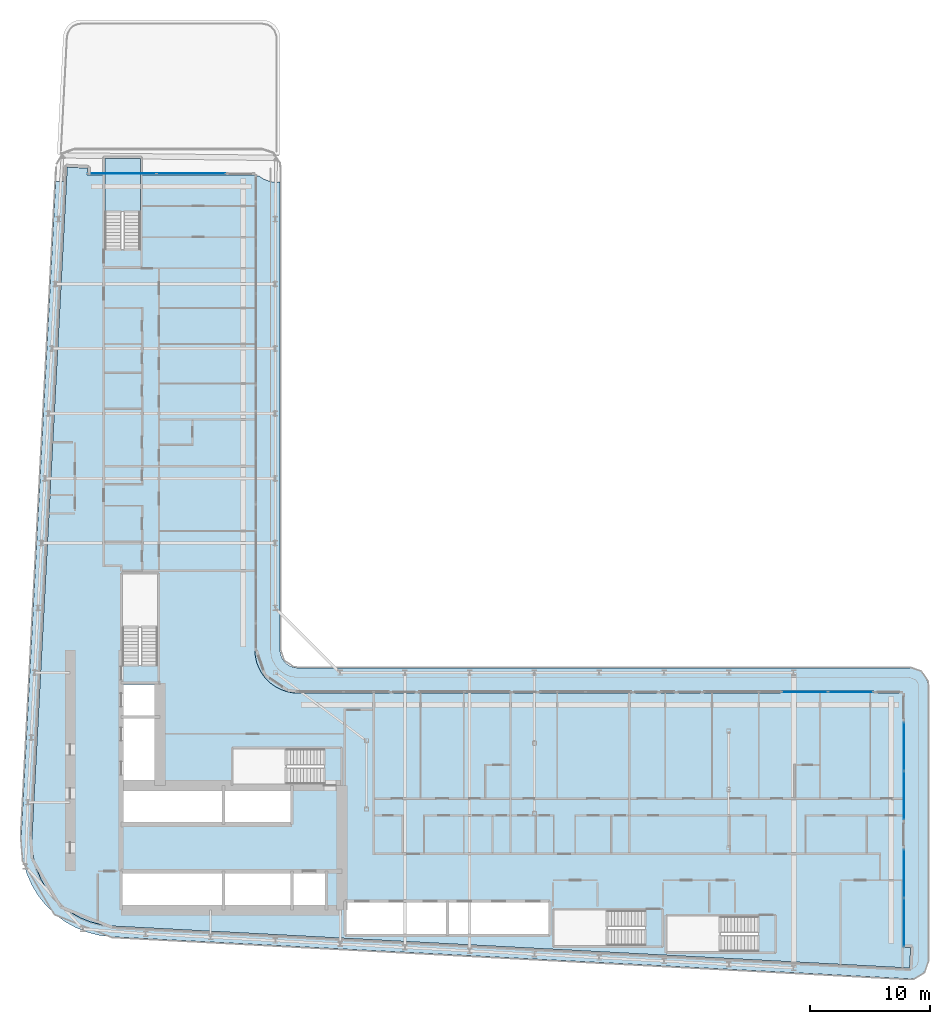
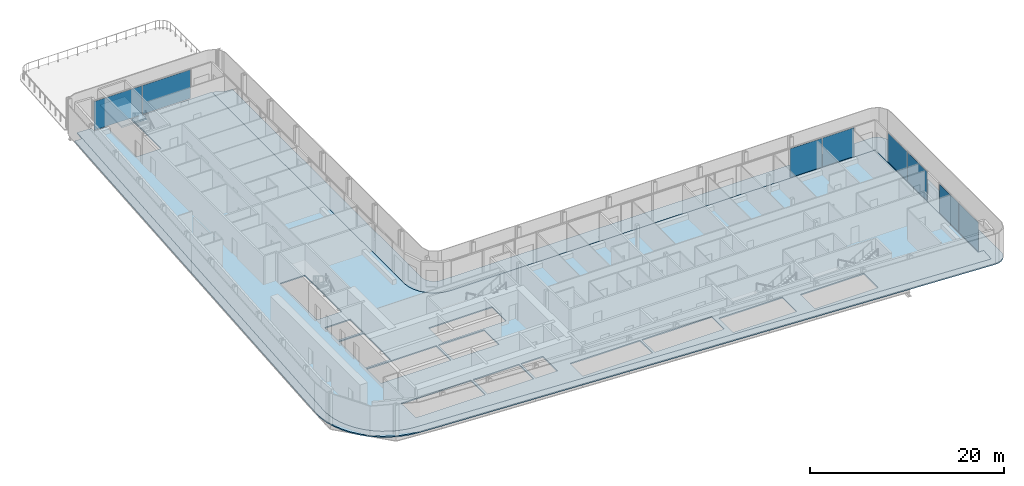
# One storey, part 11 of 28: 8 plates, 3 slabs, 5 elements without a shape of their own.
"""IFC4 building model written with IfcOpenShell, lengths in metres."""

from ifc_helpers import new_model, si_unit, direction, frame, origin, origin_2d, place, context, subcontext, project, spatial, polyline, rectangle, outline, extrude, material, layer, layer_set, type_object, element, aggregate, save


model = new_model("IFC4")

# Units and contexts
model_context = context("Model", 3, precision=1e-05, world=origin(), true_north=direction((0.0, 1.0)))
body_context = subcontext(model_context, "Body", "Model", "MODEL_VIEW")
ifc_project = project(units=[si_unit("LENGTHUNIT", "METRE"), si_unit("AREAUNIT", "SQUARE_METRE"), si_unit("VOLUMEUNIT", "CUBIC_METRE"), si_unit("PLANEANGLEUNIT", "RADIAN"), si_unit("MASSUNIT", "GRAM", prefix="KILO")], contexts=[model_context])

# Site, building, storey
site_placement = place(None, origin())
site = spatial("IfcSite", under=ifc_project, at=site_placement, CompositionType="ELEMENT")
building_placement = place(site_placement, origin())
building = spatial("IfcBuilding", under=site, at=building_placement, Name="Kheshtan School and Residences Tower", CompositionType="ELEMENT")
storey_placement = place(building_placement, frame((0.0, 0.0, 94.10009765625)))
storey = spatial("IfcBuildingStorey", under=building, at=storey_placement, Name="L21", CompositionType="ELEMENT", Elevation=94.10009765625)

# Curtain wall, plates
ifc_material_1 = material(Name="Clear low-e glass in thermally broken aluminium frame", Category="aluminium")
ifc_layer_1 = layer(ifc_material_1, 0.199951171875)
ifc_layer_set_1 = layer_set([ifc_layer_1], Name="Curtain wall CW-L")
curtain_wall_type = type_object("IfcCurtainWallType", Name="Curtain wall CW-L", PredefinedType="NOTDEFINED", material=ifc_layer_set_1)
curtain_wall_1_placement = place(storey_placement, origin())
curtain_wall_1 = element("IfcCurtainWall", 1, at=curtain_wall_1_placement, inside=storey, type_object=curtain_wall_type, Name="Curtain wall CWL3", PredefinedType="NOTDEFINED")
ifc_layer_2 = layer(ifc_material_1, 0.031982421875)
ifc_layer_set_2 = layer_set([ifc_layer_2], Name="CW-L glass panel")
plate_type = type_object("IfcPlateType", Name="CW-L glass panel", PredefinedType="CURTAIN_PANEL", material=ifc_layer_set_2)
plate_1_placement = place(storey_placement, frame((34.8330078125, 87.199951171875, 0.0), z_axis=(0.0, 0.0, 1.0), x_axis=(1.0, 0.0, 0.0)))
plate_1 = element("IfcPlate", 2, at=plate_1_placement, type_object=plate_type, Name="CWL3 panel 1.1", PredefinedType="CURTAIN_PANEL", context=body_context, shape_type="SweptSolid", body=[
    extrude(rectangle(XDim=5.697998046875, YDim=0.031982421875, at=origin_2d()), origin(), (0.0, 0.0, 1.0), 3.6298828125),
])
plate_2_placement = place(storey_placement, frame((40.591064453125, 87.199951171875, 0.0), z_axis=(0.0, 0.0, 1.0), x_axis=(1.0, 0.0, 0.0)))
plate_2 = element("IfcPlate", 3, at=plate_2_placement, type_object=plate_type, Name="CWL3 panel 2.1", PredefinedType="CURTAIN_PANEL", context=body_context, shape_type="SweptSolid", body=[
    extrude(rectangle(XDim=5.697998046875, YDim=0.031982421875, at=origin_2d()), origin(), (0.0, 0.0, 1.0), 3.6298828125),
])
aggregate(curtain_wall_1, [plate_1, plate_2])

curtain_wall_2_placement = place(storey_placement, origin())
curtain_wall_2 = element("IfcCurtainWall", 4, at=curtain_wall_2_placement, inside=storey, type_object=curtain_wall_type, Name="Curtain wall CWL8", PredefinedType="NOTDEFINED")
plate_3_placement = place(storey_placement, frame((91.714599609375, 44.0, 0.0), z_axis=(0.0, 0.0, 1.0), x_axis=(1.0, 0.0, 0.0)))
plate_3 = element("IfcPlate", 5, at=plate_3_placement, type_object=plate_type, Name="CWL8 panel 1.1", PredefinedType="CURTAIN_PANEL", context=body_context, shape_type="SweptSolid", body=[
    extrude(rectangle(XDim=3.81689453125, YDim=0.031982421875, at=origin_2d()), origin(), (0.0, 0.0, 1.0), 3.6298828125),
])
plate_4_placement = place(storey_placement, frame((95.5615234375, 44.0, 0.0), z_axis=(0.0, 0.0, 1.0), x_axis=(1.0, 0.0, 0.0)))
plate_4 = element("IfcPlate", 6, at=plate_4_placement, type_object=plate_type, Name="CWL8 panel 2.1", PredefinedType="CURTAIN_PANEL", context=body_context, shape_type="SweptSolid", body=[
    extrude(rectangle(XDim=3.757080078125, YDim=0.031982421875, at=origin_2d()), origin(), (0.0, 0.0, 1.0), 3.6298828125),
])
aggregate(curtain_wall_2, [plate_3, plate_4])

curtain_wall_3_placement = place(storey_placement, origin())
curtain_wall_3 = element("IfcCurtainWall", 7, at=curtain_wall_3_placement, inside=storey, type_object=curtain_wall_type, Name="Curtain wall CWL9", PredefinedType="NOTDEFINED")
plate_5_placement = place(storey_placement, frame((100.0, 39.436767578125, 0.0), z_axis=(0.0, 0.0, 1.0), x_axis=(0.0, -1.0, 0.0)))
plate_5 = element("IfcPlate", 8, at=plate_5_placement, type_object=plate_type, Name="CWL9 panel 1.1", PredefinedType="CURTAIN_PANEL", context=body_context, shape_type="SweptSolid", body=[
    extrude(rectangle(XDim=4.006591796875, YDim=0.031982421875, at=origin_2d()), origin(), (0.0, 0.0, 1.0), 3.6298828125),
])
plate_6_placement = place(storey_placement, frame((100.0, 35.370361328125, 0.0), z_axis=(0.0, 0.0, 1.0), x_axis=(0.0, -1.0, 0.0)))
plate_6 = element("IfcPlate", 9, at=plate_6_placement, type_object=plate_type, Name="CWL9 panel 2.1", PredefinedType="CURTAIN_PANEL", context=body_context, shape_type="SweptSolid", body=[
    extrude(rectangle(XDim=4.006591796875, YDim=0.031982421875, at=origin_2d()), origin(), (0.0, 0.0, 1.0), 3.6298828125),
])
aggregate(curtain_wall_3, [plate_5, plate_6])

curtain_wall_4_placement = place(storey_placement, origin())
curtain_wall_4 = element("IfcCurtainWall", 10, at=curtain_wall_4_placement, inside=storey, type_object=curtain_wall_type, Name="Curtain wall CWL9", PredefinedType="NOTDEFINED")
plate_7_placement = place(storey_placement, frame((100.0, 28.84375, 0.0), z_axis=(0.0, 0.0, 1.0), x_axis=(0.0, -1.0, 0.0)))
plate_7 = element("IfcPlate", 11, at=plate_7_placement, type_object=plate_type, Name="CWL9 panel 1.1", PredefinedType="CURTAIN_PANEL", context=body_context, shape_type="SweptSolid", body=[
    extrude(rectangle(XDim=4.006591796875, YDim=0.031982421875, at=origin_2d()), origin(), (0.0, 0.0, 1.0), 3.6298828125),
])
plate_8_placement = place(storey_placement, frame((100.0, 24.77734375, 0.0), z_axis=(0.0, 0.0, 1.0), x_axis=(0.0, -1.0, 0.0)))
plate_8 = element("IfcPlate", 12, at=plate_8_placement, type_object=plate_type, Name="CWL9 panel 2.1", PredefinedType="CURTAIN_PANEL", context=body_context, shape_type="SweptSolid", body=[
    extrude(rectangle(XDim=4.006591796875, YDim=0.031982421875, at=origin_2d()), origin(), (0.0, 0.0, 1.0), 3.6298828125),
])
aggregate(curtain_wall_4, [plate_7, plate_8])

# Slabs
ifc_material_2 = material(Name="Concrete C40/50", Category="concrete")
ifc_layer_3 = layer(ifc_material_2, 0.14990234375)
ifc_layer_set_3 = layer_set([ifc_layer_3], Name="Floor slab 150 Concrete C40/50")
slab_type_1 = type_object("IfcSlabType", Name="Floor slab 150 Concrete C40/50", PredefinedType="FLOOR", material=ifc_layer_set_3)
slab_1_placement = place(storey_placement, frame((0.0, 0.0, -0.150146484375)))
element("IfcSlab", 13, at=slab_1_placement, inside=storey, type_object=slab_type_1, Name="Floor slab L21", PredefinedType="FLOOR", context=body_context, shape_type="SweptSolid", body=[
    extrude(outline(polyline([(27.718017578125, 29.200927734375), (27.466064453125, 30.093017578125), (27.466064453125, 30.093994140625), (27.3330078125, 31.013916015625), (27.320068359375, 31.965087890625), (27.320068359375, 31.970947265625), (30.25390625, 87.700927734375), (30.2548828125, 87.7080078125), (30.258056640625, 87.73095703125), (30.258056640625, 87.73193359375), (30.259033203125, 87.73193359375), (30.85400390625, 87.699951171875), (30.85498046875, 87.699951171875), (30.85498046875, 87.698974609375), (30.85498046875, 87.695068359375), (30.85498046875, 87.694091796875), (30.85595703125, 87.694091796875), (30.85595703125, 87.693115234375), (30.85693359375, 87.693115234375), (30.85791015625, 87.693115234375), (30.85791015625, 87.694091796875), (30.860107421875, 87.696044921875), (30.861083984375, 87.697021484375), (30.862060546875, 87.697998046875), (30.863037109375, 87.697998046875), (30.863037109375, 87.698974609375), (30.864013671875, 87.698974609375), (30.864013671875, 87.699951171875), (30.864990234375, 87.699951171875), (30.866943359375, 87.700927734375), (30.867919921875, 87.701904296875), (30.87109375, 87.701904296875), (30.8720703125, 87.701904296875), (30.8720703125, 87.702880859375), (30.873046875, 87.702880859375), (30.8779296875, 87.702880859375), (31.93310546875, 87.64697265625), (31.93603515625, 87.64697265625), (31.93701171875, 87.64697265625), (31.93701171875, 87.64599609375), (31.93798828125, 87.64599609375), (31.94189453125, 87.64599609375), (31.94189453125, 87.64501953125), (31.943115234375, 87.64501953125), (31.943115234375, 87.64404296875), (31.944091796875, 87.64404296875), (31.944091796875, 87.64306640625), (31.945068359375, 87.64306640625), (31.946044921875, 87.64306640625), (31.946044921875, 87.64208984375), (31.947021484375, 87.64208984375), (31.947998046875, 87.64208984375), (31.947998046875, 87.64111328125), (31.949951171875, 87.638916015625), (31.950927734375, 87.638916015625), (31.950927734375, 87.637939453125), (31.950927734375, 87.636962890625), (31.951904296875, 87.636962890625), (31.951904296875, 87.635986328125), (31.952880859375, 87.635986328125), (31.952880859375, 87.634033203125), (31.952880859375, 87.633056640625), (31.9541015625, 87.633056640625), (31.9541015625, 87.632080078125), (31.955078125, 87.632080078125), (31.955078125, 87.631103515625), (31.955078125, 87.62890625), (31.955078125, 87.6279296875), (31.9560546875, 87.6279296875), (31.9560546875, 87.626953125), (31.9560546875, 87.6220703125), (31.928955078125, 87.12109375), (31.928955078125, 87.117919921875), (31.928955078125, 87.116943359375), (31.927978515625, 87.116943359375), (31.927978515625, 87.115966796875), (31.927978515625, 87.112060546875), (31.927001953125, 87.111083984375), (31.927001953125, 87.110107421875), (31.926025390625, 87.110107421875), (31.926025390625, 87.10888671875), (31.925048828125, 87.10888671875), (31.925048828125, 87.10791015625), (31.924072265625, 87.10693359375), (31.922119140625, 87.10498046875), (31.9208984375, 87.10400390625), (31.919921875, 87.10400390625), (31.919921875, 87.10302734375), (31.919921875, 87.10205078125), (31.919921875, 87.10107421875), (31.9208984375, 87.10107421875), (31.9208984375, 87.10009765625), (31.922119140625, 87.10009765625), (33.39990234375, 87.10009765625), (33.39990234375, 80.909912109375), (34.800048828125, 80.909912109375), (34.800048828125, 80.89990234375), (36.35009765625, 80.89990234375), (36.35009765625, 87.10009765625), (45.85498046875, 87.10009765625), (45.864990234375, 87.097900390625), (45.865966796875, 87.097900390625), (45.868896484375, 87.095947265625), (45.8740234375, 87.093994140625), (45.8779296875, 87.092041015625), (45.881103515625, 87.090087890625), (45.881103515625, 87.089111328125), (45.882080078125, 87.089111328125), (45.882080078125, 87.087890625), (45.883056640625, 87.087890625), (45.884033203125, 87.0849609375), (45.885009765625, 87.0849609375), (45.885009765625, 87.083984375), (45.887939453125, 87.0830078125), (45.887939453125, 87.08203125), (45.888916015625, 87.08203125), (45.888916015625, 87.0810546875), (45.889892578125, 87.0810546875), (45.89208984375, 87.077880859375), (45.89404296875, 87.073974609375), (45.89599609375, 87.069091796875), (45.89794921875, 87.06591796875), (45.89794921875, 87.06494140625), (45.89990234375, 87.054931640625), (45.89990234375, 47.429931640625), (45.927001953125, 47.030029296875), (46.01806640625, 46.570068359375), (46.01806640625, 46.569091796875), (46.169921875, 46.1201171875), (46.37890625, 45.697021484375), (46.638916015625, 45.30810546875), (46.949951171875, 44.950927734375), (46.950927734375, 44.949951171875), (47.30810546875, 44.638916015625), (47.697021484375, 44.37890625), (48.1201171875, 44.169921875), (48.569091796875, 44.01806640625), (48.570068359375, 44.01806640625), (49.030029296875, 43.927001953125), (49.429931640625, 43.89990234375), (99.85498046875, 43.89990234375), (99.864990234375, 43.89794921875), (99.865966796875, 43.89794921875), (99.868896484375, 43.89599609375), (99.8740234375, 43.89404296875), (99.8779296875, 43.89208984375), (99.881103515625, 43.889892578125), (99.881103515625, 43.888916015625), (99.882080078125, 43.888916015625), (99.882080078125, 43.887939453125), (99.883056640625, 43.887939453125), (99.884033203125, 43.885009765625), (99.885009765625, 43.885009765625), (99.885009765625, 43.884033203125), (99.887939453125, 43.883056640625), (99.887939453125, 43.882080078125), (99.888916015625, 43.882080078125), (99.888916015625, 43.881103515625), (99.889892578125, 43.881103515625), (99.89208984375, 43.8779296875), (99.89404296875, 43.8740234375), (99.89599609375, 43.868896484375), (99.89794921875, 43.865966796875), (99.89794921875, 43.864990234375), (99.89990234375, 43.85498046875), (99.89990234375, 22.708984375), (99.89990234375, 22.7080078125), (99.90087890625, 22.7080078125), (99.90087890625, 22.70703125), (99.902099609375, 22.70703125), (99.903076171875, 22.70703125), (99.903076171875, 22.7080078125), (99.905029296875, 22.7099609375), (99.906982421875, 22.7119140625), (99.907958984375, 22.7119140625), (99.907958984375, 22.712890625), (99.908935546875, 22.712890625), (99.908935546875, 22.714111328125), (99.909912109375, 22.714111328125), (99.912109375, 22.715087890625), (99.9130859375, 22.716064453125), (99.916015625, 22.716064453125), (99.9169921875, 22.716064453125), (99.9169921875, 22.717041015625), (99.91796875, 22.717041015625), (99.923095703125, 22.717041015625), (100.5380859375, 22.68408203125), (100.541015625, 22.68408203125), (100.5419921875, 22.68408203125), (100.5419921875, 22.68310546875), (100.54296875, 22.68310546875), (100.547119140625, 22.68310546875), (100.547119140625, 22.681884765625), (100.548095703125, 22.681884765625), (100.548095703125, 22.680908203125), (100.549072265625, 22.680908203125), (100.549072265625, 22.679931640625), (100.550048828125, 22.679931640625), (100.551025390625, 22.679931640625), (100.551025390625, 22.678955078125), (100.552001953125, 22.678955078125), (100.552978515625, 22.678955078125), (100.552978515625, 22.677978515625), (100.554931640625, 22.676025390625), (100.555908203125, 22.676025390625), (100.555908203125, 22.675048828125), (100.555908203125, 22.674072265625), (100.556884765625, 22.674072265625), (100.556884765625, 22.673095703125), (100.55810546875, 22.673095703125), (100.55810546875, 22.6708984375), (100.55810546875, 22.669921875), (100.55908203125, 22.669921875), (100.55908203125, 22.6689453125), (100.56005859375, 22.6689453125), (100.56005859375, 22.66796875), (100.56005859375, 22.666015625), (100.56005859375, 22.6650390625), (100.56103515625, 22.6650390625), (100.56103515625, 22.6640625), (100.56103515625, 22.658935546875), (100.5048828125, 21.60205078125), (100.5048828125, 21.59912109375), (100.5048828125, 21.597900390625), (100.50390625, 21.597900390625), (100.50390625, 21.596923828125), (100.50390625, 21.593017578125), (100.5029296875, 21.592041015625), (100.5029296875, 21.591064453125), (100.501953125, 21.591064453125), (100.501953125, 21.590087890625), (100.5009765625, 21.590087890625), (100.5009765625, 21.589111328125), (100.5, 21.587890625), (100.498046875, 21.5859375), (100.4970703125, 21.5849609375), (100.49609375, 21.5849609375), (100.49609375, 21.583984375), (100.49609375, 21.5830078125), (100.49609375, 21.58203125), (100.4970703125, 21.58203125), (100.4970703125, 21.5810546875), (100.498046875, 21.5810546875), (100.4990234375, 21.5810546875), (100.5, 21.5810546875), (100.5, 21.580078125), (100.468017578125, 20.985107421875), (100.468017578125, 20.98388671875), (100.467041015625, 20.98388671875), (100.443115234375, 20.98291015625), (100.43798828125, 20.98291015625), (34.056884765625, 24.47802734375), (33.114990234375, 24.590087890625), (32.215087890625, 24.819091796875), (32.214111328125, 24.819091796875), (31.35205078125, 25.1630859375), (30.541015625, 25.616943359375), (29.799072265625, 26.1708984375), (29.799072265625, 26.172119140625), (29.798095703125, 26.172119140625), (29.134033203125, 26.820068359375), (29.134033203125, 26.821044921875), (29.133056640625, 26.821044921875), (28.55908203125, 27.550048828125), (28.0849609375, 28.345947265625), (27.718017578125, 29.200927734375)]), holes=[polyline([(99.89990234375, 21.5869140625), (99.89990234375, 21.5830078125), (99.89990234375, 21.58203125), (99.90087890625, 21.58203125), (99.90087890625, 21.5810546875), (99.902099609375, 21.5810546875), (99.906005859375, 21.5810546875), (99.906982421875, 21.5810546875), (99.906982421875, 21.58203125), (99.907958984375, 21.58203125), (99.907958984375, 21.5830078125), (99.907958984375, 21.583984375), (99.906982421875, 21.583984375), (99.905029296875, 21.5859375), (99.904052734375, 21.5869140625), (99.903076171875, 21.587890625), (99.903076171875, 21.589111328125), (99.902099609375, 21.589111328125), (99.90087890625, 21.589111328125), (99.90087890625, 21.587890625), (99.89990234375, 21.587890625), (99.89990234375, 21.5869140625)]), polyline([(30.85498046875, 87.10595703125), (30.85498046875, 87.10205078125), (30.85498046875, 87.10107421875), (30.85595703125, 87.10107421875), (30.85595703125, 87.10009765625), (30.85693359375, 87.10009765625), (30.861083984375, 87.10009765625), (30.862060546875, 87.10009765625), (30.862060546875, 87.10107421875), (30.863037109375, 87.10107421875), (30.863037109375, 87.10205078125), (30.863037109375, 87.10302734375), (30.862060546875, 87.10302734375), (30.861083984375, 87.10400390625), (30.860107421875, 87.10498046875), (30.85888671875, 87.10595703125), (30.85791015625, 87.10693359375), (30.85791015625, 87.10791015625), (30.85693359375, 87.10791015625), (30.85595703125, 87.10791015625), (30.85595703125, 87.10693359375), (30.85498046875, 87.10693359375), (30.85498046875, 87.10595703125)]), polyline([(34.875, 28.925048828125), (34.875, 25.925048828125), (43.175048828125, 25.925048828125), (43.175048828125, 28.925048828125), (34.875, 28.925048828125)]), polyline([(43.425048828125, 25.925048828125), (48.875, 25.925048828125), (48.875, 28.925048828125), (43.425048828125, 28.925048828125), (43.425048828125, 25.925048828125)]), polyline([(43.175048828125, 36.074951171875), (34.875, 36.074951171875), (34.875, 33.074951171875), (43.175048828125, 33.074951171875), (43.175048828125, 36.074951171875)]), polyline([(34.875, 41.77490234375), (34.875, 36.324951171875), (37.875, 36.324951171875), (37.875, 41.77490234375), (34.875, 41.77490234375)]), polyline([(34.875, 44.625), (34.875, 42.02490234375), (37.875, 42.02490234375), (37.875, 44.625), (34.875, 44.625)]), polyline([(37.800048828125, 46.25), (37.800048828125, 53.81005859375), (34.85009765625, 53.81005859375), (34.85009765625, 46.260009765625), (36.25, 46.260009765625), (36.25, 46.25), (37.800048828125, 46.25)]), polyline([(87.81005859375, 22.35009765625), (87.81005859375, 23.75), (87.820068359375, 23.75), (87.820068359375, 25.300048828125), (80.260009765625, 25.300048828125), (80.260009765625, 22.35009765625), (87.81005859375, 22.35009765625)]), polyline([(70.85009765625, 22.85009765625), (78.39990234375, 22.85009765625), (78.39990234375, 24.25), (78.409912109375, 24.25), (78.409912109375, 25.800048828125), (70.85009765625, 25.800048828125), (70.85009765625, 22.85009765625)]), polyline([(61.824951171875, 26.425048828125), (53.52490234375, 26.425048828125), (53.52490234375, 23.824951171875), (61.824951171875, 23.824951171875), (61.824951171875, 26.425048828125)]), polyline([(62.074951171875, 23.824951171875), (70.375, 23.824951171875), (70.375, 26.425048828125), (62.074951171875, 26.425048828125), (62.074951171875, 23.824951171875)]), polyline([(49.125, 28.925048828125), (49.125, 25.925048828125), (51.72509765625, 25.925048828125), (51.72509765625, 28.925048828125), (49.125, 28.925048828125)]), polyline([(43.425048828125, 33.074951171875), (48.875, 33.074951171875), (48.875, 36.074951171875), (43.425048828125, 36.074951171875), (43.425048828125, 33.074951171875)]), polyline([(51.64990234375, 39.25), (44.090087890625, 39.25), (44.090087890625, 36.300048828125), (51.639892578125, 36.300048828125), (51.639892578125, 37.699951171875), (51.64990234375, 37.699951171875), (51.64990234375, 39.25)])]), origin(), (0.0, 0.0, 1.0), 0.150146484375),
])
ifc_layer_4 = layer(ifc_material_2, 0.14990234375)
ifc_layer_set_4 = layer_set([ifc_layer_4], Name="Loggia balcony slab 150 Concrete C40/50")
slab_type_2 = type_object("IfcSlabType", Name="Loggia balcony slab 150 Concrete C40/50", PredefinedType="FLOOR", material=ifc_layer_set_4)
slab_2_placement = place(storey_placement, frame((0.0, 0.0, -0.150146484375)))
element("IfcSlab", 14, at=slab_2_placement, inside=storey, type_object=slab_type_2, Name="Loggia balcony slab L21", PredefinedType="FLOOR", context=body_context, shape_type="SweptSolid", body=[
    extrude(outline(polyline([(28.4609375, 26.219970703125), (28.4599609375, 26.219970703125), (28.4599609375, 26.220947265625), (28.458984375, 26.220947265625), (27.81494140625, 27.0390625), (27.281005859375, 27.93798828125), (26.867919921875, 28.89990234375), (26.583984375, 29.903076171875), (26.583984375, 29.906982421875), (26.43408203125, 30.943115234375), (26.419921875, 31.989013671875), (29.29296875, 86.56689453125), (29.29296875, 86.568115234375), (29.2939453125, 86.568115234375), (29.4619140625, 86.5439453125), (29.487060546875, 86.5419921875), (29.75, 86.537109375), (29.77490234375, 86.5380859375), (29.8701171875, 86.5439453125), (29.89404296875, 86.5458984375), (30.06005859375, 86.56591796875), (30.195068359375, 86.593017578125), (30.196044921875, 86.593017578125), (27.320068359375, 31.970947265625), (27.3330078125, 31.013916015625), (27.466064453125, 30.093994140625), (27.466064453125, 30.091064453125), (27.466064453125, 30.090087890625), (27.718017578125, 29.200927734375), (28.0849609375, 28.345947265625), (28.55908203125, 27.550048828125), (29.1298828125, 26.822998046875), (29.131103515625, 26.822998046875), (29.131103515625, 26.822021484375), (29.132080078125, 26.822021484375), (29.132080078125, 26.821044921875), (29.133056640625, 26.821044921875), (29.133056640625, 26.820068359375), (29.134033203125, 26.820068359375), (29.798095703125, 26.173095703125), (29.798095703125, 26.172119140625), (29.799072265625, 26.172119140625), (29.799072265625, 26.1708984375), (29.800048828125, 26.1708984375), (29.800048828125, 26.169921875), (29.801025390625, 26.169921875), (29.801025390625, 26.1689453125), (30.541015625, 25.616943359375), (31.35205078125, 25.1630859375), (32.2119140625, 24.819091796875), (32.212890625, 24.819091796875), (32.216064453125, 24.819091796875), (33.114990234375, 24.590087890625), (34.06591796875, 24.47705078125), (100.43798828125, 20.98291015625), (100.465087890625, 20.98388671875), (100.466064453125, 20.98388671875), (100.467041015625, 20.98388671875), (100.467041015625, 20.985107421875), (100.468017578125, 20.985107421875), (100.468017578125, 20.986083984375), (100.468017578125, 20.987060546875), (100.55810546875, 22.676025390625), (100.55810546875, 22.677001953125), (100.55810546875, 22.677978515625), (100.556884765625, 22.677978515625), (100.556884765625, 22.678955078125), (100.555908203125, 22.678955078125), (100.554931640625, 22.678955078125), (99.90087890625, 22.714111328125), (99.89990234375, 22.714111328125), (99.89990234375, 22.715087890625), (99.89990234375, 43.89794921875), (99.89990234375, 43.89892578125), (99.89892578125, 43.89892578125), (99.89892578125, 43.89990234375), (99.89794921875, 43.89990234375), (49.429931640625, 43.89990234375), (49.030029296875, 43.927001953125), (48.569091796875, 44.01806640625), (48.56494140625, 44.01806640625), (48.1201171875, 44.169921875), (47.697021484375, 44.37890625), (47.30810546875, 44.638916015625), (46.9541015625, 44.947021484375), (46.9541015625, 44.947998046875), (46.952880859375, 44.947998046875), (46.952880859375, 44.948974609375), (46.951904296875, 44.948974609375), (46.951904296875, 44.949951171875), (46.950927734375, 44.949951171875), (46.949951171875, 44.950927734375), (46.949951171875, 44.951904296875), (46.948974609375, 44.951904296875), (46.948974609375, 44.952880859375), (46.947998046875, 44.952880859375), (46.947998046875, 44.9541015625), (46.947021484375, 44.9541015625), (46.638916015625, 45.30810546875), (46.37890625, 45.697021484375), (46.169921875, 46.1201171875), (46.01806640625, 46.56494140625), (46.01806640625, 46.569091796875), (45.927001953125, 47.030029296875), (45.89990234375, 47.429931640625), (45.89990234375, 86.998046875), (45.89990234375, 86.9990234375), (45.90087890625, 86.9990234375), (46.237060546875, 86.9990234375), (46.27099609375, 86.970947265625), (46.291015625, 86.9560546875), (46.51904296875, 86.805908203125), (46.5400390625, 86.7939453125), (46.64794921875, 86.736083984375), (46.669921875, 86.72509765625), (46.930908203125, 86.614990234375), (46.9541015625, 86.60693359375), (47.137939453125, 86.551025390625), (47.138916015625, 86.551025390625), (47.14306640625, 86.551025390625), (47.1669921875, 86.544921875), (47.339111328125, 86.509033203125), (47.363037109375, 86.5048828125), (47.636962890625, 86.47705078125), (47.662109375, 86.47607421875), (47.837890625, 86.47607421875), (47.863037109375, 86.47705078125), (47.9990234375, 86.490966796875), (48.0, 86.490966796875), (48.0, 86.489990234375), (48.0, 47.5), (48.012939453125, 47.303955078125), (48.051025390625, 47.113037109375), (48.051025390625, 47.110107421875), (48.051025390625, 47.10888671875), (48.114013671875, 46.926025390625), (48.200927734375, 46.75), (48.31005859375, 46.5869140625), (48.43505859375, 46.44091796875), (48.43603515625, 46.44091796875), (48.43603515625, 46.43994140625), (48.43701171875, 46.43994140625), (48.43701171875, 46.43896484375), (48.43798828125, 46.43896484375), (48.43896484375, 46.43798828125), (48.43896484375, 46.43701171875), (48.43994140625, 46.43701171875), (48.43994140625, 46.43603515625), (48.44091796875, 46.43603515625), (48.44091796875, 46.43505859375), (48.5869140625, 46.31005859375), (48.75, 46.200927734375), (48.926025390625, 46.114013671875), (49.10888671875, 46.051025390625), (49.110107421875, 46.051025390625), (49.113037109375, 46.051025390625), (49.303955078125, 46.012939453125), (49.5, 46.0), (100.5, 46.0), (100.696044921875, 45.987060546875), (100.887939453125, 45.948974609375), (100.89208984375, 45.948974609375), (101.073974609375, 45.885986328125), (101.2451171875, 45.801025390625), (101.24609375, 45.801025390625), (101.2470703125, 45.801025390625), (101.248046875, 45.801025390625), (101.248046875, 45.802001953125), (101.2490234375, 45.802001953125), (101.2490234375, 45.802978515625), (101.25, 45.802978515625), (101.2529296875, 45.802978515625), (101.25390625, 45.802978515625), (101.25390625, 45.802001953125), (101.2548828125, 45.802001953125), (101.2548828125, 45.801025390625), (101.256103515625, 45.801025390625), (101.256103515625, 45.800048828125), (101.257080078125, 45.800048828125), (101.257080078125, 45.799072265625), (101.412109375, 45.696044921875), (101.4130859375, 45.696044921875), (101.4130859375, 45.695068359375), (101.4140625, 45.695068359375), (101.4140625, 45.694091796875), (101.4140625, 45.68994140625), (101.4140625, 45.68896484375), (101.4150390625, 45.68896484375), (101.4150390625, 45.68798828125), (101.416015625, 45.68798828125), (101.416015625, 45.68701171875), (101.55810546875, 45.56494140625), (101.55810546875, 45.56396484375), (101.55908203125, 45.56396484375), (101.55908203125, 45.56298828125), (101.56005859375, 45.56298828125), (101.56005859375, 45.56201171875), (101.56103515625, 45.56201171875), (101.56201171875, 45.56103515625), (101.56201171875, 45.56005859375), (101.56298828125, 45.56005859375), (101.56298828125, 45.55908203125), (101.56396484375, 45.55908203125), (101.56396484375, 45.55810546875), (101.56494140625, 45.55810546875), (101.68505859375, 45.41796875), (101.68603515625, 45.41796875), (101.68603515625, 45.4169921875), (101.68701171875, 45.4169921875), (101.68701171875, 45.416015625), (101.68798828125, 45.416015625), (101.68798828125, 45.4150390625), (101.68896484375, 45.4150390625), (101.68896484375, 45.4140625), (101.68994140625, 45.4140625), (101.694091796875, 45.4140625), (101.695068359375, 45.4140625), (101.695068359375, 45.4130859375), (101.696044921875, 45.4130859375), (101.696044921875, 45.412109375), (101.797119140625, 45.259033203125), (101.798095703125, 45.259033203125), (101.798095703125, 45.258056640625), (101.799072265625, 45.258056640625), (101.799072265625, 45.257080078125), (101.800048828125, 45.257080078125), (101.800048828125, 45.256103515625), (101.801025390625, 45.256103515625), (101.801025390625, 45.2548828125), (101.802001953125, 45.2548828125), (101.802001953125, 45.25390625), (101.802978515625, 45.25390625), (101.802978515625, 45.2529296875), (101.802978515625, 45.25), (101.802978515625, 45.2490234375), (101.802001953125, 45.2490234375), (101.802001953125, 45.248046875), (101.801025390625, 45.248046875), (101.801025390625, 45.2470703125), (101.801025390625, 45.243896484375), (101.801025390625, 45.242919921875), (101.885986328125, 45.073974609375), (101.948974609375, 44.89208984375), (101.948974609375, 44.887939453125), (101.987060546875, 44.696044921875), (102.0, 44.5), (102.0, 21.5810546875), (101.986083984375, 21.37890625), (101.945068359375, 21.179931640625), (101.945068359375, 21.176025390625), (101.8779296875, 20.989013671875), (101.785888671875, 20.80810546875), (101.6708984375, 20.64306640625), (101.6708984375, 20.64208984375), (101.6708984375, 20.64111328125), (101.6708984375, 20.639892578125), (101.672119140625, 20.639892578125), (101.672119140625, 20.638916015625), (101.672119140625, 20.636962890625), (101.672119140625, 20.635986328125), (101.6708984375, 20.635986328125), (101.6708984375, 20.635009765625), (101.5380859375, 20.491943359375), (101.534912109375, 20.489013671875), (101.533935546875, 20.489013671875), (101.533935546875, 20.488037109375), (101.532958984375, 20.488037109375), (101.531005859375, 20.488037109375), (101.530029296875, 20.488037109375), (101.530029296875, 20.489013671875), (101.529052734375, 20.489013671875), (101.528076171875, 20.489013671875), (101.527099609375, 20.489013671875), (101.3759765625, 20.364013671875), (101.2041015625, 20.256103515625), (101.01904296875, 20.174072265625), (100.827880859375, 20.116943359375), (100.823974609375, 20.116943359375), (100.6240234375, 20.0859375), (100.4208984375, 20.0830078125), (33.989013671875, 23.580078125), (33.94091796875, 23.5859375), (33.93994140625, 23.5859375), (33.93994140625, 23.5849609375), (33.93896484375, 23.5849609375), (33.93896484375, 23.583984375), (33.93798828125, 23.583984375), (33.93798828125, 23.5830078125), (33.93701171875, 23.5830078125), (33.93701171875, 23.58203125), (33.93603515625, 23.58203125), (33.93505859375, 23.58203125), (32.952880859375, 23.697998046875), (32.949951171875, 23.697998046875), (32.948974609375, 23.697998046875), (32.948974609375, 23.698974609375), (32.947998046875, 23.698974609375), (32.947998046875, 23.699951171875), (32.947021484375, 23.699951171875), (32.947021484375, 23.700927734375), (32.947021484375, 23.702880859375), (32.947021484375, 23.7041015625), (32.946044921875, 23.7041015625), (32.946044921875, 23.705078125), (32.945068359375, 23.705078125), (31.93603515625, 23.9609375), (31.931884765625, 23.9609375), (30.964111328125, 24.34912109375), (30.051025390625, 24.860107421875), (29.216064453125, 25.48193359375), (29.216064453125, 25.48291015625), (29.215087890625, 25.48291015625), (29.215087890625, 25.48388671875), (29.214111328125, 25.48388671875), (29.214111328125, 25.485107421875), (29.212890625, 25.485107421875), (29.212890625, 25.486083984375), (29.2119140625, 25.486083984375), (28.464111328125, 26.217041015625), (28.464111328125, 26.218017578125), (28.462890625, 26.218017578125), (28.4619140625, 26.218017578125), (28.4619140625, 26.218994140625), (28.4609375, 26.218994140625), (28.4609375, 26.219970703125)])), origin(), (0.0, 0.0, 1.0), 0.150146484375),
])

# Stair, slab
stair_type = type_object("IfcStairType", Name="Exit stair, half-turn", PredefinedType="HALF_TURN_STAIR", material=ifc_material_2)
stair_placement = place(storey_placement, origin())
stair = element("IfcStair", 15, at=stair_placement, inside=storey, type_object=stair_type, Name="L21 Protected Exit Stair ST3", PredefinedType="HALF_TURN_STAIR")
ifc_layer_5 = layer(ifc_material_2, 0.199951171875)
ifc_layer_set_5 = layer_set([ifc_layer_5], Name="Stair landing 200 Concrete C40/50")
slab_type_3 = type_object("IfcSlabType", Name="Stair landing 200 Concrete C40/50", PredefinedType="LANDING", material=ifc_layer_set_5)
slab_3_placement = place(storey_placement, frame((0.0, 0.0, 1.75)))
slab_3 = element("IfcSlab", 16, at=slab_3_placement, type_object=slab_type_3, Name="ST3 landing 1", PredefinedType="LANDING", context=body_context, shape_type="SweptSolid", body=[
    extrude(outline(polyline([(36.35009765625, 83.97998046875), (36.35009765625, 88.4599609375), (33.39990234375, 88.4599609375), (33.39990234375, 83.97998046875), (36.35009765625, 83.97998046875)])), origin(), (0.0, 0.0, 1.0), 0.199951171875),
])
aggregate(stair, [slab_3])

save(model, "model.ifc")
